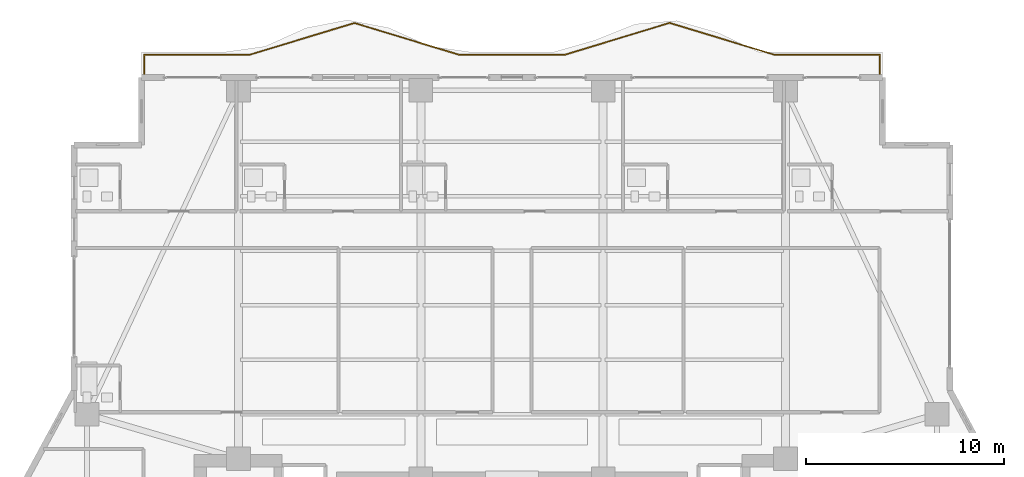
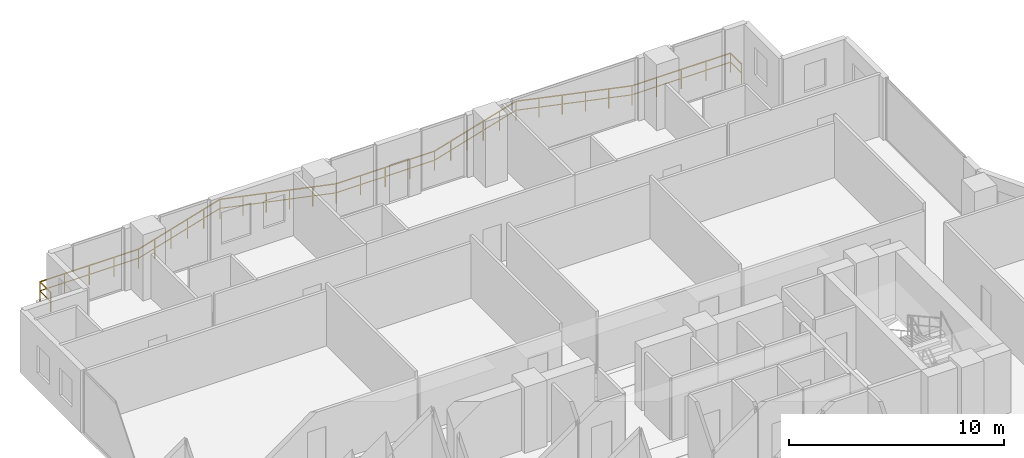
# One storey, part 31 of 32: 1 railing.
"""IFC4 building model written with IfcOpenShell, lengths in metres."""

import ifcopenshell
import ifcopenshell.guid

model = None  # the IFC model being written
_history = None  # IfcOwnerHistory: only IFC2X3 demands one
_inside = {}  # id of a spatial element -> (the spatial element, [elements in it])
_under = {}  # id of a project, library or spatial element -> (it, [spatial elements below it])
_declared = {}  # id of a project -> (the project, [libraries it declares])
_typed = {}  # id of a type object -> (the type object, [elements of that type])
_made_of = {}  # id of a material, layer set ... -> (it, [elements and type objects made of it])


def new_model(schema):
    """Start an empty IFC model of exactly this schema.

    Asked for "IFC4X3", IfcOpenShell would pick the latest addendum, in which some entities
    have other attributes; the version numbers below select the first issue.
    IFC2X3 requires an IfcOwnerHistory on every rooted entity: one is made here for all.
    """
    global model, _history
    if schema == "IFC4X3":
        model = ifcopenshell.file(schema_version=(4, 3, 0, 0))
    else:
        model = ifcopenshell.file(schema=schema)
    _inside.clear()
    _under.clear()
    _declared.clear()
    _typed.clear()
    _made_of.clear()
    _history = None
    if model.schema == "IFC2X3":
        org = make("IfcOrganization", Name="unknown")
        user = make(
            "IfcPersonAndOrganization",
            ThePerson=make("IfcPerson", FamilyName="unknown"),
            TheOrganization=org,
        )
        app = make(
            "IfcApplication",
            ApplicationDeveloper=org,
            Version="unknown",
            ApplicationFullName="unknown",
            ApplicationIdentifier="unknown",
        )
        _history = make(
            "IfcOwnerHistory",
            OwningUser=user,
            OwningApplication=app,
            ChangeAction="ADDED",
            CreationDate=0,
        )
    return model


def make(cls, **values):
    """One entity of the class cls with the attributes given. An attribute that is None is left unset."""
    return model.create_entity(
        cls, **{name: value for name, value in values.items() if value is not None}
    )


def rooted(cls, **values):
    """An entity with a GlobalId (a new one), such as an element, a storey or a relation."""
    return make(cls, GlobalId=ifcopenshell.guid.new(), OwnerHistory=_history, **values)


def si_unit(unit_type, name, prefix=None):
    """IfcSIUnit, for example si_unit("LENGTHUNIT", "METRE", prefix="MILLI")."""
    return make("IfcSIUnit", UnitType=unit_type, Prefix=prefix, Name=name)


def assignment(units):
    """IfcUnitAssignment: the units of a project."""
    return None if units is None else make("IfcUnitAssignment", Units=units)


def point(xyz):
    """IfcCartesianPoint."""
    return None if xyz is None else make("IfcCartesianPoint", Coordinates=xyz)


def direction(xyz):
    """IfcDirection."""
    return None if xyz is None else make("IfcDirection", DirectionRatios=xyz)


def frame(location, z_axis=None, x_axis=None):
    """IfcAxis2Placement3D, a coordinate frame: its origin and axes. An axis left out is left unset."""
    return make(
        "IfcAxis2Placement3D",
        Location=point(location),
        Axis=direction(z_axis),
        RefDirection=direction(x_axis),
    )


def frame_2d(location, x_axis=None):
    """IfcAxis2Placement2D, a coordinate frame in the plane: its origin and x axis."""
    return make(
        "IfcAxis2Placement2D", Location=point(location), RefDirection=direction(x_axis)
    )


def origin():
    """The frame at (0, 0, 0) with its axes left unset."""
    return frame((0.0, 0.0, 0.0))


def origin_2d():
    """The frame at (0, 0) in the plane with its x axis left unset."""
    return frame_2d((0.0, 0.0))


def place(relative_to, where):
    """IfcLocalPlacement: puts the frame where relative to a parent placement (None: the world)."""
    return make(
        "IfcLocalPlacement", PlacementRelTo=relative_to, RelativePlacement=where
    )


def context(
    kind, dimensions, precision=None, world=None, true_north=None, identifier=None
):
    """IfcGeometricRepresentationContext, for example the 3D "Model" context."""
    return make(
        "IfcGeometricRepresentationContext",
        ContextIdentifier=identifier,
        ContextType=kind,
        CoordinateSpaceDimension=dimensions,
        Precision=precision,
        WorldCoordinateSystem=world,
        TrueNorth=true_north,
    )


def subcontext(parent, identifier, kind, view, scale=None):
    """IfcGeometricRepresentationSubContext, for example "Body" below "Model"."""
    return make(
        "IfcGeometricRepresentationSubContext",
        ContextIdentifier=identifier,
        ContextType=kind,
        ParentContext=parent,
        TargetScale=scale,
        TargetView=view,
    )


def project(units=None, contexts=None):
    """IfcProject with its units and contexts."""
    return rooted(
        "IfcProject",
        Name="project",
        RepresentationContexts=contexts,
        UnitsInContext=assignment(units),
    )


def spatial(cls, under=None, at=None, **own):
    """A site, building, storey or space (cls), placed at a placement, below another one or the project."""
    s = rooted(cls, ObjectPlacement=at, **own)
    if under is not None:
        _under.setdefault(under.id(), (under, []))[1].append(s)
    return s


def profile(cls, at=None, kind="AREA", **sizes):
    """A parametric profile (cls). Its sizes go by their IFC names, for example OverallWidth=200.0."""
    return make(cls, ProfileType=kind, Position=at, **sizes)


def rectangle(**sizes):
    """IfcRectangleProfileDef."""
    return profile("IfcRectangleProfileDef", **sizes)


def extrude(swept, where, along, depth):
    """IfcExtrudedAreaSolid: the profile swept, set in the frame where, extruded along a direction by depth."""
    return make(
        "IfcExtrudedAreaSolid",
        SweptArea=swept,
        Position=where,
        ExtrudedDirection=direction(along),
        Depth=depth,
    )


def shape(context_of_items, identifier, shape_type, items):
    """IfcShapeRepresentation: the items that make up one representation, for example the "Body"."""
    return make(
        "IfcShapeRepresentation",
        ContextOfItems=context_of_items,
        RepresentationIdentifier=identifier,
        RepresentationType=shape_type,
        Items=items,
    )


def material(Name=None, Category=None):
    """IfcMaterial."""
    return make("IfcMaterial", Name=Name, Category=Category)


def made_of(thing, what):
    """Note that an element or type object is made of a material, layer set ...; save() writes the relation."""
    if what is not None:
        _made_of.setdefault(what.id(), (what, []))[1].append(thing)
    return thing


def type_object(cls, material=None, **own):
    """A type object (cls), such as IfcWallType, which elements share."""
    return made_of(rooted(cls, **own), material)


def element(
    cls,
    number,
    at=None,
    inside=None,
    cuts=None,
    type_object=None,
    material=None,
    context=None,
    identifier="Body",
    shape_type=None,
    held_by="IfcProductDefinitionShape",
    body=None,
    shapes=None,
    **own,
):
    """One element of the class cls, such as IfcWall. Its Tag is "e" and its number.

    at: its placement. inside: the storey or other place that contains it. cuts: it is an
    opening in that element (IfcRelVoidsElement). A single representation is given by context,
    identifier, shape_type and body (its items); several are given by shapes. held_by: the class
    of the entity that holds the representations. save() writes the other relations.
    """
    e = rooted(cls, Tag="e%d" % number, ObjectPlacement=at, **own)
    if body is not None:
        shapes = [shape(context, identifier, shape_type, body)]
    if shapes is not None:
        e.Representation = make(held_by, Representations=shapes)
    if inside is not None:
        _inside.setdefault(inside.id(), (inside, []))[1].append(e)
    if cuts is not None:
        rooted(
            "IfcRelVoidsElement", RelatingBuildingElement=cuts, RelatedOpeningElement=e
        )
    if type_object is not None:
        _typed.setdefault(type_object.id(), (type_object, []))[1].append(e)
    return made_of(e, material)


def aggregate(whole, parts):
    """IfcRelAggregates: a whole, such as a stair, and the parts it consists of."""
    return rooted("IfcRelAggregates", RelatingObject=whole, RelatedObjects=parts)


def save(model, path):
    """Write the relations noted so far, then the file.

    IfcRelAggregates (storeys below a building ...), IfcRelContainedInSpatialStructure (elements
    in a storey), IfcRelDefinesByType, IfcRelAssociatesMaterial and IfcRelDeclares: one each for
    every whole, place, type object, material and project.
    """
    for whole, parts in _under.values():
        aggregate(whole, parts)
    for where, things in _inside.values():
        rooted(
            "IfcRelContainedInSpatialStructure",
            RelatedElements=things,
            RelatingStructure=where,
        )
    for kind, things in _typed.values():
        rooted("IfcRelDefinesByType", RelatedObjects=things, RelatingType=kind)
    for what, things in _made_of.values():
        rooted("IfcRelAssociatesMaterial", RelatedObjects=things, RelatingMaterial=what)
    for by, libraries in _declared.values():
        rooted("IfcRelDeclares", RelatingContext=by, RelatedDefinitions=libraries)
    model.write(path)


model = new_model("IFC4")

# Units and contexts
model_context = context("Model", 3, precision=1e-05, world=origin(), true_north=direction((0.0, 1.0)))
body_context = subcontext(model_context, "Body", "Model", "MODEL_VIEW")
ifc_project = project(units=[si_unit("LENGTHUNIT", "METRE"), si_unit("AREAUNIT", "SQUARE_METRE"), si_unit("VOLUMEUNIT", "CUBIC_METRE"), si_unit("PLANEANGLEUNIT", "RADIAN"), si_unit("MASSUNIT", "GRAM", prefix="KILO")], contexts=[model_context])

# Site, building, storey
site_placement = place(None, origin())
site = spatial("IfcSite", under=ifc_project, at=site_placement, CompositionType="ELEMENT")
building_placement = place(site_placement, origin())
building = spatial("IfcBuilding", under=site, at=building_placement, Name="Zuhayl Quay Hotel", CompositionType="ELEMENT")
storey_placement = place(building_placement, frame((0.0, 0.0, 192.39990234375)))
storey = spatial("IfcBuildingStorey", under=building, at=storey_placement, Name="L48", CompositionType="ELEMENT", Elevation=192.39990234375)

# Railing
ifc_material = material(Name="Anodised Aluminium and Laminated Glass", Category="aluminium")
railing_type = type_object("IfcRailingType", Name="RL_EXT_BAL_1100", PredefinedType="BALUSTRADE", material=ifc_material)
railing_placement = place(storey_placement, frame((-18.56005859375, 33.719970703125, 0.0)))
element("IfcRailing", 1, at=railing_placement, inside=storey, type_object=railing_type, Name="L48 Balcony and Terrace Guard GR_L48_BAL_N", PredefinedType="BALUSTRADE", context=body_context, shape_type="SweptSolid", body=[
    extrude(rectangle(XDim=0.048095703125, YDim=0.048095703125, at=origin_2d()), frame((0.0, 0.0, 1.09619140625), z_axis=(0.0, 1.0, 0.0), x_axis=(-1.0, 0.0, 0.0)), (0.0, 0.0, 1.0), 1.02001953125),
    extrude(rectangle(XDim=0.0361328125, YDim=0.0361328125, at=origin_2d()), frame((0.0, 0.0, 0.58251953125), z_axis=(0.0, 1.0, 0.0), x_axis=(-1.0, 0.0, 0.0)), (0.0, 0.0, 1.0), 1.02001953125),
    extrude(rectangle(XDim=0.048095703125, YDim=0.048095703125, at=origin_2d()), frame((0.0, 1.02001953125, 1.09619140625), z_axis=(1.0, 0.0, 0.0), x_axis=(0.0, 1.0, 0.0)), (0.0, 0.0, 1.0), 5.302978515625),
    extrude(rectangle(XDim=0.0361328125, YDim=0.0361328125, at=origin_2d()), frame((0.0, 1.02001953125, 0.58251953125), z_axis=(1.0, 0.0, 0.0), x_axis=(0.0, 1.0, 0.0)), (0.0, 0.0, 1.0), 5.302978515625),
    extrude(rectangle(XDim=0.048095703125, YDim=0.048095703125, at=origin_2d()), frame((5.302978515625, 1.02001953125, 1.09619140625), z_axis=(0.956948779688, 0.290256839806, 0.0), x_axis=(-0.290256839806, 0.956948779688, 0.0)), (0.0, 0.0, 1.0), 5.541259765625),
    extrude(rectangle(XDim=0.0361328125, YDim=0.0361328125, at=origin_2d()), frame((5.302978515625, 1.02001953125, 0.58251953125), z_axis=(0.956948779688, 0.290256839806, 0.0), x_axis=(-0.290256839806, 0.956948779688, 0.0)), (0.0, 0.0, 1.0), 5.541259765625),
    extrude(rectangle(XDim=0.048095703125, YDim=0.048095703125, at=origin_2d()), frame((10.605712890625, 2.62841796875, 1.09619140625), z_axis=(0.956952491332, -0.290244602592, 0.0), x_axis=(0.290244602592, 0.956952491332, 0.0)), (0.0, 0.0, 1.0), 5.54150390625),
    extrude(rectangle(XDim=0.0361328125, YDim=0.0361328125, at=origin_2d()), frame((10.605712890625, 2.62841796875, 0.58251953125), z_axis=(0.956952491332, -0.290244602592, 0.0), x_axis=(0.290244602592, 0.956952491332, 0.0)), (0.0, 0.0, 1.0), 5.54150390625),
    extrude(rectangle(XDim=0.048095703125, YDim=0.048095703125, at=origin_2d()), frame((15.90869140625, 1.02001953125, 1.09619140625), z_axis=(1.0, 0.0, 0.0), x_axis=(0.0, 1.0, 0.0)), (0.0, 0.0, 1.0), 5.302734375),
    extrude(rectangle(XDim=0.0361328125, YDim=0.0361328125, at=origin_2d()), frame((15.90869140625, 1.02001953125, 0.58251953125), z_axis=(1.0, 0.0, 0.0), x_axis=(0.0, 1.0, 0.0)), (0.0, 0.0, 1.0), 5.302734375),
    extrude(rectangle(XDim=0.048095703125, YDim=0.048095703125, at=origin_2d()), frame((21.21142578125, 1.02001953125, 1.09619140625), z_axis=(0.956682947878, 0.29113182107, 0.0), x_axis=(-0.29113182107, 0.956682947878, 0.0)), (0.0, 0.0, 1.0), 5.54296875),
    extrude(rectangle(XDim=0.0361328125, YDim=0.0361328125, at=origin_2d()), frame((21.21142578125, 1.02001953125, 0.58251953125), z_axis=(0.956682947878, 0.29113182107, 0.0), x_axis=(-0.29113182107, 0.956682947878, 0.0)), (0.0, 0.0, 1.0), 5.54296875),
    extrude(rectangle(XDim=0.048095703125, YDim=0.048095703125, at=origin_2d()), frame((26.514404296875, 2.6337890625, 1.09619140625), z_axis=(0.956679214559, -0.291144088777, 0.0), x_axis=(0.291144088777, 0.956679214559, 0.0)), (0.0, 0.0, 1.0), 5.54296875),
    extrude(rectangle(XDim=0.0361328125, YDim=0.0361328125, at=origin_2d()), frame((26.514404296875, 2.6337890625, 0.58251953125), z_axis=(0.956679214559, -0.291144088777, 0.0), x_axis=(0.291144088777, 0.956679214559, 0.0)), (0.0, 0.0, 1.0), 5.54296875),
    extrude(rectangle(XDim=0.048095703125, YDim=0.048095703125, at=origin_2d()), frame((31.817138671875, 1.02001953125, 1.09619140625), z_axis=(1.0, 0.0, 0.0), x_axis=(0.0, 1.0, 0.0)), (0.0, 0.0, 1.0), 5.302978515625),
    extrude(rectangle(XDim=0.0361328125, YDim=0.0361328125, at=origin_2d()), frame((31.817138671875, 1.02001953125, 0.58251953125), z_axis=(1.0, 0.0, 0.0), x_axis=(0.0, 1.0, 0.0)), (0.0, 0.0, 1.0), 5.302978515625),
    extrude(rectangle(XDim=0.048095703125, YDim=0.048095703125, at=origin_2d()), frame((37.1201171875, 1.02001953125, 1.09619140625), z_axis=(0.0, -1.0, 0.0), x_axis=(1.0, 0.0, 0.0)), (0.0, 0.0, 1.0), 1.02001953125),
    extrude(rectangle(XDim=0.0361328125, YDim=0.0361328125, at=origin_2d()), frame((37.1201171875, 1.02001953125, 0.58251953125), z_axis=(0.0, -1.0, 0.0), x_axis=(1.0, 0.0, 0.0)), (0.0, 0.0, 1.0), 1.02001953125),
    extrude(rectangle(XDim=0.0419921875, YDim=0.0419921875, at=origin_2d()), origin(), (0.0, 0.0, 1.0), 1.072021484375),
    extrude(rectangle(XDim=0.0419921875, YDim=0.0419921875, at=origin_2d()), frame((0.0, 1.02001953125, 0.0)), (0.0, 0.0, 1.0), 1.072021484375),
    extrude(rectangle(XDim=0.0419921875, YDim=0.0419921875, at=origin_2d()), frame((1.32568359375, 1.02001953125, 0.0)), (0.0, 0.0, 1.0), 1.072021484375),
    extrude(rectangle(XDim=0.0419921875, YDim=0.0419921875, at=origin_2d()), frame((2.6513671875, 1.02001953125, 0.0)), (0.0, 0.0, 1.0), 1.072021484375),
    extrude(rectangle(XDim=0.0419921875, YDim=0.0419921875, at=origin_2d()), frame((3.977294921875, 1.02001953125, 0.0)), (0.0, 0.0, 1.0), 1.072021484375),
    extrude(rectangle(XDim=0.0419921875, YDim=0.0419921875, at=origin_2d()), frame((5.302978515625, 1.02001953125, 0.0)), (0.0, 0.0, 1.0), 1.072021484375),
    extrude(rectangle(XDim=0.0419921875, YDim=0.0419921875, at=origin_2d()), frame((6.363525390625, 1.341796875, 0.0)), (0.0, 0.0, 1.0), 1.072021484375),
    extrude(rectangle(XDim=0.0419921875, YDim=0.0419921875, at=origin_2d()), frame((7.424072265625, 1.663330078125, 0.0)), (0.0, 0.0, 1.0), 1.072021484375),
    extrude(rectangle(XDim=0.0419921875, YDim=0.0419921875, at=origin_2d()), frame((8.484619140625, 1.985107421875, 0.0)), (0.0, 0.0, 1.0), 1.072021484375),
    extrude(rectangle(XDim=0.0419921875, YDim=0.0419921875, at=origin_2d()), frame((9.545166015625, 2.306640625, 0.0)), (0.0, 0.0, 1.0), 1.072021484375),
    extrude(rectangle(XDim=0.0419921875, YDim=0.0419921875, at=origin_2d()), frame((10.605712890625, 2.62841796875, 0.0)), (0.0, 0.0, 1.0), 1.072021484375),
    extrude(rectangle(XDim=0.0419921875, YDim=0.0419921875, at=origin_2d()), frame((11.666259765625, 2.306640625, 0.0)), (0.0, 0.0, 1.0), 1.072021484375),
    extrude(rectangle(XDim=0.0419921875, YDim=0.0419921875, at=origin_2d()), frame((12.726806640625, 1.985107421875, 0.0)), (0.0, 0.0, 1.0), 1.072021484375),
    extrude(rectangle(XDim=0.0419921875, YDim=0.0419921875, at=origin_2d()), frame((13.78759765625, 1.663330078125, 0.0)), (0.0, 0.0, 1.0), 1.072021484375),
    extrude(rectangle(XDim=0.0419921875, YDim=0.0419921875, at=origin_2d()), frame((14.84814453125, 1.341796875, 0.0)), (0.0, 0.0, 1.0), 1.072021484375),
    extrude(rectangle(XDim=0.0419921875, YDim=0.0419921875, at=origin_2d()), frame((15.90869140625, 1.02001953125, 0.0)), (0.0, 0.0, 1.0), 1.072021484375),
    extrude(rectangle(XDim=0.0419921875, YDim=0.0419921875, at=origin_2d()), frame((17.234375, 1.02001953125, 0.0)), (0.0, 0.0, 1.0), 1.072021484375),
    extrude(rectangle(XDim=0.0419921875, YDim=0.0419921875, at=origin_2d()), frame((18.56005859375, 1.02001953125, 0.0)), (0.0, 0.0, 1.0), 1.072021484375),
    extrude(rectangle(XDim=0.0419921875, YDim=0.0419921875, at=origin_2d()), frame((19.8857421875, 1.02001953125, 0.0)), (0.0, 0.0, 1.0), 1.072021484375),
    extrude(rectangle(XDim=0.0419921875, YDim=0.0419921875, at=origin_2d()), frame((21.21142578125, 1.02001953125, 0.0)), (0.0, 0.0, 1.0), 1.072021484375),
    extrude(rectangle(XDim=0.0419921875, YDim=0.0419921875, at=origin_2d()), frame((22.27197265625, 1.3427734375, 0.0)), (0.0, 0.0, 1.0), 1.072021484375),
    extrude(rectangle(XDim=0.0419921875, YDim=0.0419921875, at=origin_2d()), frame((23.33251953125, 1.66552734375, 0.0)), (0.0, 0.0, 1.0), 1.072021484375),
    extrude(rectangle(XDim=0.0419921875, YDim=0.0419921875, at=origin_2d()), frame((24.393310546875, 1.98828125, 0.0)), (0.0, 0.0, 1.0), 1.072021484375),
    extrude(rectangle(XDim=0.0419921875, YDim=0.0419921875, at=origin_2d()), frame((25.453857421875, 2.31103515625, 0.0)), (0.0, 0.0, 1.0), 1.072021484375),
    extrude(rectangle(XDim=0.0419921875, YDim=0.0419921875, at=origin_2d()), frame((26.514404296875, 2.6337890625, 0.0)), (0.0, 0.0, 1.0), 1.072021484375),
    extrude(rectangle(XDim=0.0419921875, YDim=0.0419921875, at=origin_2d()), frame((27.574951171875, 2.31103515625, 0.0)), (0.0, 0.0, 1.0), 1.072021484375),
    extrude(rectangle(XDim=0.0419921875, YDim=0.0419921875, at=origin_2d()), frame((28.635498046875, 1.98828125, 0.0)), (0.0, 0.0, 1.0), 1.072021484375),
    extrude(rectangle(XDim=0.0419921875, YDim=0.0419921875, at=origin_2d()), frame((29.696044921875, 1.66552734375, 0.0)), (0.0, 0.0, 1.0), 1.072021484375),
    extrude(rectangle(XDim=0.0419921875, YDim=0.0419921875, at=origin_2d()), frame((30.756591796875, 1.3427734375, 0.0)), (0.0, 0.0, 1.0), 1.072021484375),
    extrude(rectangle(XDim=0.0419921875, YDim=0.0419921875, at=origin_2d()), frame((31.817138671875, 1.02001953125, 0.0)), (0.0, 0.0, 1.0), 1.072021484375),
    extrude(rectangle(XDim=0.0419921875, YDim=0.0419921875, at=origin_2d()), frame((33.142822265625, 1.02001953125, 0.0)), (0.0, 0.0, 1.0), 1.072021484375),
    extrude(rectangle(XDim=0.0419921875, YDim=0.0419921875, at=origin_2d()), frame((34.46875, 1.02001953125, 0.0)), (0.0, 0.0, 1.0), 1.072021484375),
    extrude(rectangle(XDim=0.0419921875, YDim=0.0419921875, at=origin_2d()), frame((35.79443359375, 1.02001953125, 0.0)), (0.0, 0.0, 1.0), 1.072021484375),
    extrude(rectangle(XDim=0.0419921875, YDim=0.0419921875, at=origin_2d()), frame((37.1201171875, 1.02001953125, 0.0)), (0.0, 0.0, 1.0), 1.072021484375),
    extrude(rectangle(XDim=0.0419921875, YDim=0.0419921875, at=origin_2d()), frame((37.1201171875, 0.0, 0.0)), (0.0, 0.0, 1.0), 1.072021484375),
])

save(model, "model.ifc")
